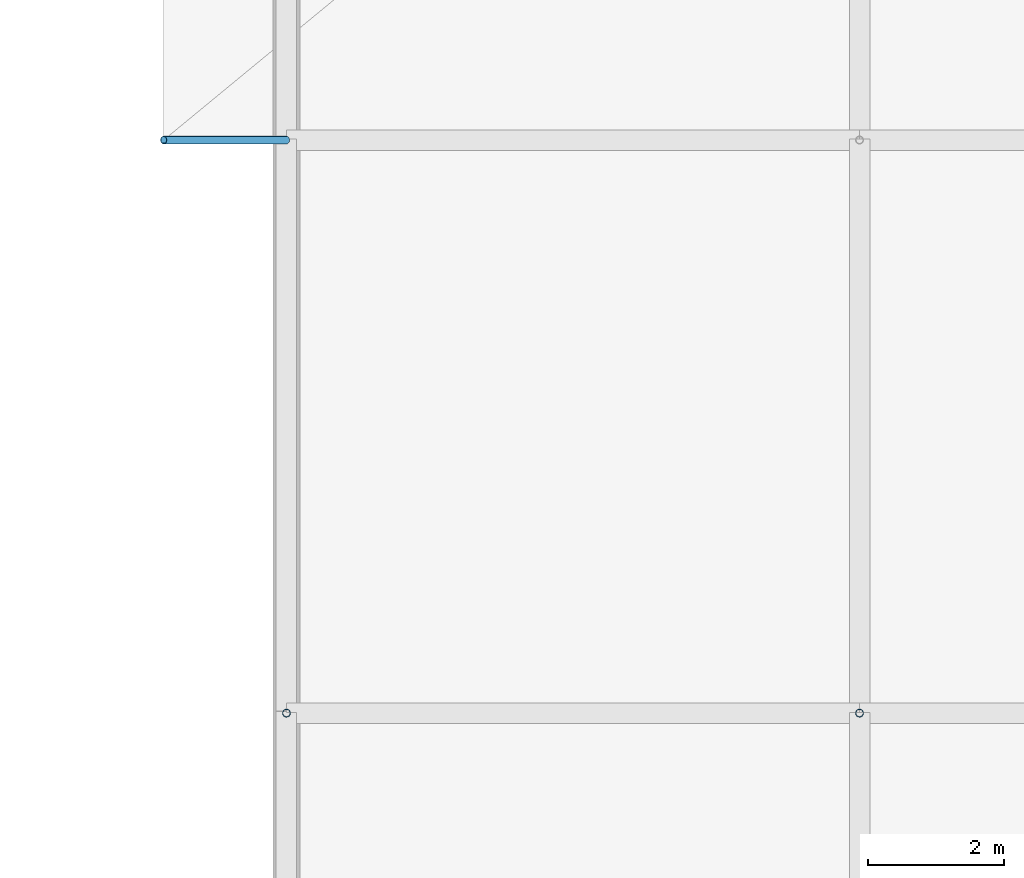
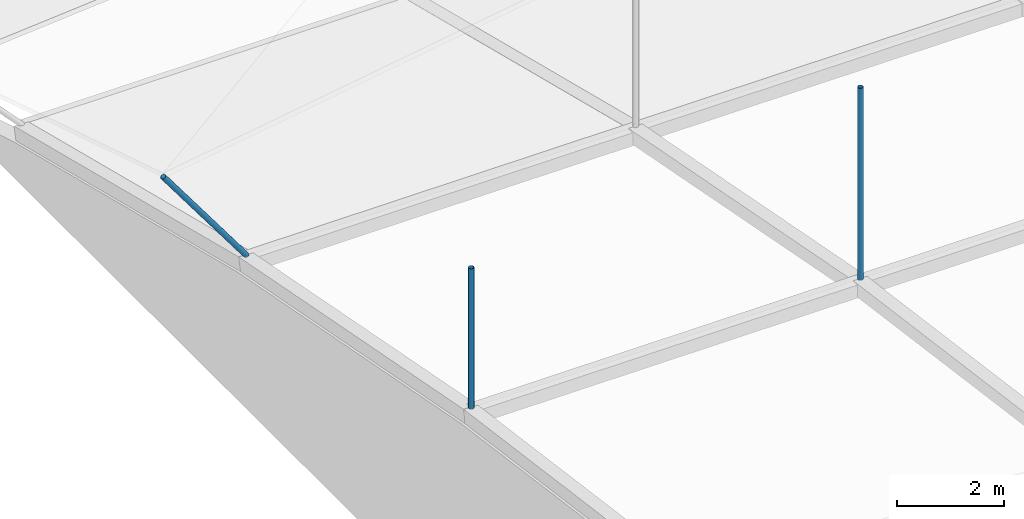
# One storey, part 54 of 111: 3 discrete accessories.
"""IFC4 building model written with IfcOpenShell, lengths in metres."""

from ifc_helpers import new_model, si_unit, direction, frame, origin, origin_2d, place, context, subcontext, project, spatial, hollow_circle, extrude, material, material_profile, profile_set, type_object, element, save


model = new_model("IFC4")

# Units and contexts
model_context = context("Model", 3, precision=1e-05, world=origin(), true_north=direction((0.0, 1.0)))
body_context = subcontext(model_context, "Body", "Model", "MODEL_VIEW")
ifc_project = project(units=[si_unit("LENGTHUNIT", "METRE"), si_unit("AREAUNIT", "SQUARE_METRE"), si_unit("VOLUMEUNIT", "CUBIC_METRE"), si_unit("PLANEANGLEUNIT", "RADIAN"), si_unit("MASSUNIT", "GRAM", prefix="KILO")], contexts=[model_context])

# Site, building, storey
site_placement = place(None, origin())
site = spatial("IfcSite", under=ifc_project, at=site_placement, CompositionType="ELEMENT")
building_placement = place(site_placement, origin())
building = spatial("IfcBuilding", under=site, at=building_placement, Name="Rain Tree Exposition and Congress Centre", CompositionType="ELEMENT")
storey_placement = place(building_placement, frame((0.0, 0.0, 19.5)))
storey = spatial("IfcBuildingStorey", under=building, at=storey_placement, Name="RF", CompositionType="ELEMENT", Elevation=19.5)

# Discrete accessories
ifc_material = material(Name="Steel S355J2H", Category="steel")
ifc_material_profile = material_profile(ifc_material, hollow_circle(Radius=0.05712890625, WallThickness=0.00439453125, at=origin_2d()), Name="CHS 114x4.5")
ifc_profile_set = profile_set([ifc_material_profile], Name="Steel S355J2H")
discrete_accessory_type = type_object("IfcDiscreteAccessoryType", Name="Roof skin post CHS 114x4.5", PredefinedType="BRACKET", material=ifc_profile_set)
discrete_accessory_1_placement = place(storey_placement, frame((8.39990234375, 176.39990234375, 4.843017578125), z_axis=(0.0, 0.0, 1.0), x_axis=(1.0, 0.0, 0.0)))
element("IfcDiscreteAccessory", 1, at=discrete_accessory_1_placement, inside=storey, type_object=discrete_accessory_type, Name="Roof skin post A136", PredefinedType="BRACKET", context=body_context, shape_type="SweptSolid", body=[
    extrude(hollow_circle(Radius=0.05712890625, WallThickness=0.00439453125, at=origin_2d()), origin(), (0.0, 0.0, 1.0), 3.205078125),
])
discrete_accessory_2_placement = place(storey_placement, frame((16.800048828125, 176.39990234375, 4.843017578125), z_axis=(0.0, 0.0, 1.0), x_axis=(1.0, 0.0, 0.0)))
element("IfcDiscreteAccessory", 2, at=discrete_accessory_2_placement, inside=storey, type_object=discrete_accessory_type, Name="Roof skin post A137", PredefinedType="BRACKET", context=body_context, shape_type="SweptSolid", body=[
    extrude(hollow_circle(Radius=0.05712890625, WallThickness=0.00439453125, at=origin_2d()), origin(), (0.0, 0.0, 1.0), 4.385009765625),
])
discrete_accessory_3_placement = place(storey_placement, frame((8.39990234375, 184.800048828125, 3.22412109375), z_axis=(-0.595660308047, 0.0, 0.803236451749), x_axis=(0.0, -1.0, 0.0)))
element("IfcDiscreteAccessory", 3, at=discrete_accessory_3_placement, inside=storey, type_object=discrete_accessory_type, Name="Roof skin post A151", PredefinedType="BRACKET", context=body_context, shape_type="SweptSolid", body=[
    extrude(hollow_circle(Radius=0.05712890625, WallThickness=0.00439453125, at=origin_2d()), origin(), (0.0, 0.0, 1.0), 3.021484375),
])

save(model, "model.ifc")
